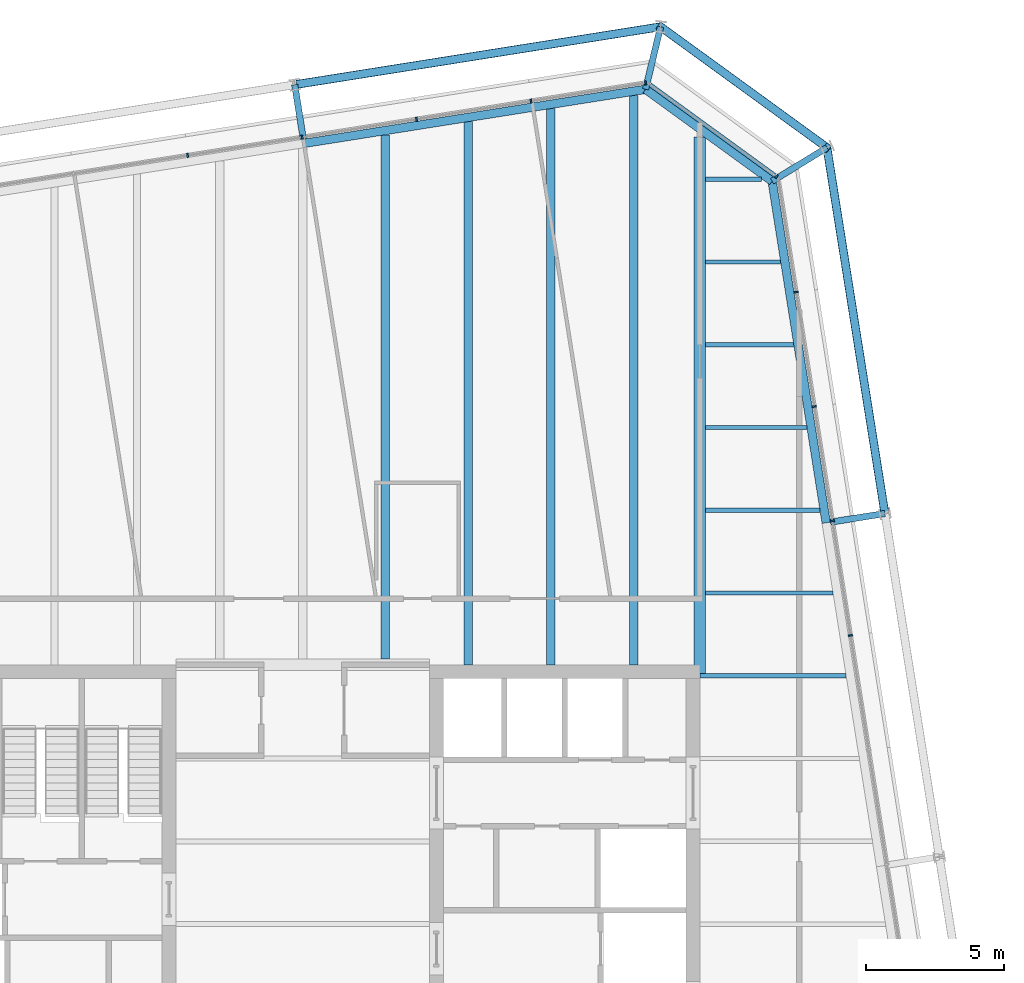
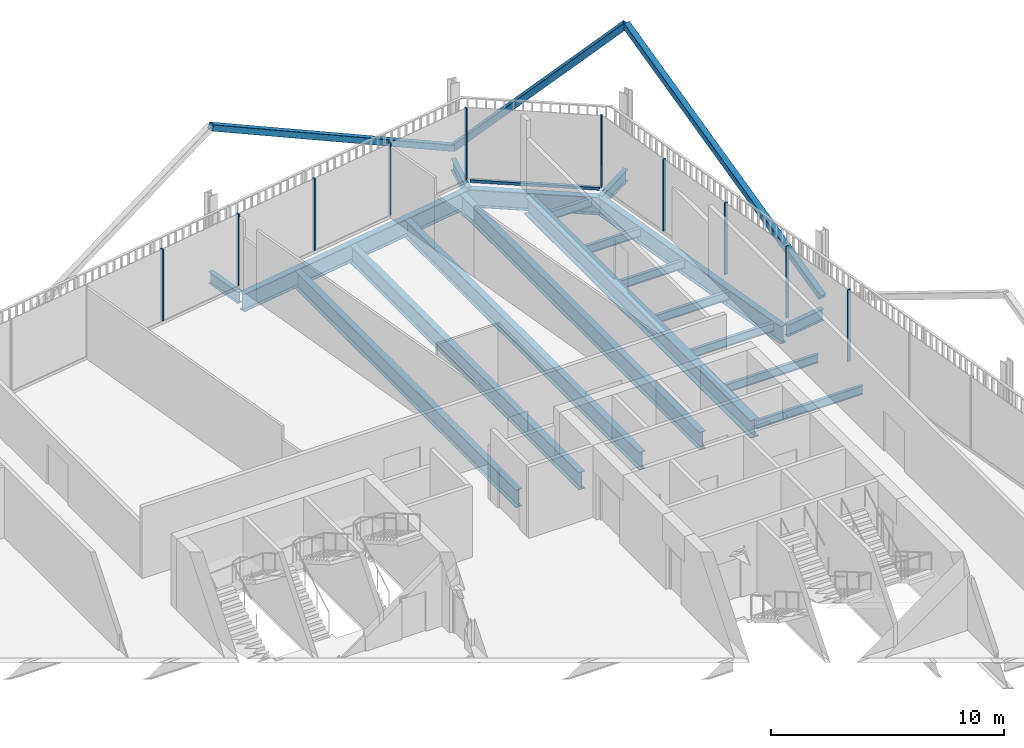
# One storey, part 15 of 21: 19 beams, 14 members, 3 elements without a shape of their own.
"""IFC4 building model written with IfcOpenShell, lengths in metres."""

from ifc_helpers import new_model, si_unit, direction, frame, origin, origin_2d, place, context, subcontext, project, spatial, rectangle, hollow_rectangle, i_section, extrude, material, layer, layer_set, material_profile, profile_set, type_object, element, aggregate, save


model = new_model("IFC4")

# Units and contexts
model_context = context("Model", 3, precision=1e-05, world=origin(), true_north=direction((0.0, 1.0)))
body_context = subcontext(model_context, "Body", "Model", "MODEL_VIEW")
ifc_project = project(units=[si_unit("LENGTHUNIT", "METRE"), si_unit("AREAUNIT", "SQUARE_METRE"), si_unit("VOLUMEUNIT", "CUBIC_METRE"), si_unit("PLANEANGLEUNIT", "RADIAN"), si_unit("MASSUNIT", "GRAM", prefix="KILO")], contexts=[model_context])

# Site, building, storey
site_placement = place(None, origin())
site = spatial("IfcSite", under=ifc_project, at=site_placement, CompositionType="ELEMENT")
building_placement = place(site_placement, origin())
building = spatial("IfcBuilding", under=site, at=building_placement, Name="Millrace Tower", CompositionType="ELEMENT")
storey_placement = place(building_placement, frame((0.0, 0.0, 247.39990234375)))
storey = spatial("IfcBuildingStorey", under=building, at=storey_placement, Name="L56", CompositionType="ELEMENT", Elevation=247.39990234375)

# Curtain wall, members
ifc_material_1 = material(Name="Aluminium and glass", Category="aluminium")
ifc_layer = layer(ifc_material_1, 0.14990234375)
ifc_layer_set = layer_set([ifc_layer], Name="Aluminium and glass")
curtain_wall_type = type_object("IfcCurtainWallType", Name="CW-1 office vision curtain wall", PredefinedType="NOTDEFINED", material=ifc_layer_set)
placement = place(storey_placement, origin())
curtain_wall_1 = element("IfcCurtainWall", 1, at=placement, inside=storey, type_object=curtain_wall_type, Name="Curtain wall D-F04 L56", PredefinedType="NOTDEFINED")
ifc_material_2 = material(Name="Aluminium", Category="aluminium")
ifc_material_profile_1 = material_profile(ifc_material_2, rectangle(XDim=0.06494140625, YDim=0.14990234375, at=origin_2d()))
ifc_profile_set_1 = profile_set([ifc_material_profile_1], Name="Aluminium")
member_type_1 = type_object("IfcMemberType", Name="CW-1 office vision curtain wall mullion", PredefinedType="MULLION", material=ifc_profile_set_1)
member_1_placement = place(storey_placement, frame((19.857421875, 10.466064453125, 0.14013671875), z_axis=(0.0, 0.0, 1.0), x_axis=(-0.156434471884, 0.987688339511, 0.0)))
member_1 = element("IfcMember", 2, at=member_1_placement, type_object=member_type_1, Name="CW1 mullion D-F04.6", PredefinedType="MULLION", context=body_context, shape_type="SweptSolid", body=[
    extrude(rectangle(XDim=0.06494140625, YDim=0.14990234375, at=origin_2d()), origin(), (0.0, 0.0, 1.0), 3.760009765625),
])
member_2_placement = place(storey_placement, frame((19.2001953125, 14.6142578125, 0.14013671875), z_axis=(0.0, 0.0, 1.0), x_axis=(-0.156434471884, 0.987688339511, 0.0)))
member_2 = element("IfcMember", 3, at=member_2_placement, type_object=member_type_1, Name="CW1 mullion D-F04.7", PredefinedType="MULLION", context=body_context, shape_type="SweptSolid", body=[
    extrude(rectangle(XDim=0.06494140625, YDim=0.14990234375, at=origin_2d()), origin(), (0.0, 0.0, 1.0), 3.760009765625),
])
member_3_placement = place(storey_placement, frame((18.543212890625, 18.762451171875, 0.14013671875), z_axis=(0.0, 0.0, 1.0), x_axis=(-0.156434471884, 0.987688339511, 0.0)))
member_3 = element("IfcMember", 4, at=member_3_placement, type_object=member_type_1, Name="CW1 mullion D-F04.8", PredefinedType="MULLION", context=body_context, shape_type="SweptSolid", body=[
    extrude(rectangle(XDim=0.06494140625, YDim=0.14990234375, at=origin_2d()), origin(), (0.0, 0.0, 1.0), 3.760009765625),
])
member_4_placement = place(storey_placement, frame((17.88623046875, 22.910888671875, 0.14013671875), z_axis=(0.0, 0.0, 1.0), x_axis=(-0.156434471884, 0.987688339511, 0.0)))
member_4 = element("IfcMember", 5, at=member_4_placement, type_object=member_type_1, Name="CW1 mullion D-F04.9", PredefinedType="MULLION", context=body_context, shape_type="SweptSolid", body=[
    extrude(rectangle(XDim=0.06494140625, YDim=0.14990234375, at=origin_2d()), origin(), (0.0, 0.0, 1.0), 3.760009765625),
])
aggregate(curtain_wall_1, [member_1, member_2, member_3, member_4])

# Curtain wall, member
curtain_wall_2 = element("IfcCurtainWall", 6, at=placement, inside=storey, type_object=curtain_wall_type, Name="Curtain wall D-F05 L56", PredefinedType="NOTDEFINED")
member_5_placement = place(storey_placement, frame((17.177978515625, 27.094970703125, 0.14013671875), z_axis=(0.0, 0.0, 1.0), x_axis=(-0.809016955361, 0.587785305991, 0.0)))
member_5 = element("IfcMember", 7, at=member_5_placement, type_object=member_type_1, Name="CW1 mullion D-F05.1", PredefinedType="MULLION", context=body_context, shape_type="SweptSolid", body=[
    extrude(rectangle(XDim=0.06494140625, YDim=0.14990234375, at=origin_2d()), origin(), (0.0, 0.0, 1.0), 3.760009765625),
])

# Curtain wall, members
curtain_wall_3 = element("IfcCurtainWall", 8, at=placement, inside=storey, type_object=curtain_wall_type, Name="Curtain wall D-F06 L56", PredefinedType="NOTDEFINED")
member_6_placement = place(storey_placement, frame((12.425537109375, 30.492431640625, 0.14013671875), z_axis=(0.0, 0.0, 1.0), x_axis=(-0.987688339511, -0.156434471884, 0.0)))
member_6 = element("IfcMember", 9, at=member_6_placement, type_object=member_type_1, Name="CW1 mullion D-F06.1", PredefinedType="MULLION", context=body_context, shape_type="SweptSolid", body=[
    extrude(rectangle(XDim=0.06494140625, YDim=0.14990234375, at=origin_2d()), origin(), (0.0, 0.0, 1.0), 3.760009765625),
])
member_7_placement = place(storey_placement, frame((8.277099609375, 29.83544921875, 0.14013671875), z_axis=(0.0, 0.0, 1.0), x_axis=(-0.987688339511, -0.156434471884, 0.0)))
member_7 = element("IfcMember", 10, at=member_7_placement, type_object=member_type_1, Name="CW1 mullion D-F06.2", PredefinedType="MULLION", context=body_context, shape_type="SweptSolid", body=[
    extrude(rectangle(XDim=0.06494140625, YDim=0.14990234375, at=origin_2d()), origin(), (0.0, 0.0, 1.0), 3.760009765625),
])
member_8_placement = place(storey_placement, frame((4.12890625, 29.178466796875, 0.14013671875), z_axis=(0.0, 0.0, 1.0), x_axis=(-0.987688339511, -0.156434471884, 0.0)))
member_8 = element("IfcMember", 11, at=member_8_placement, type_object=member_type_1, Name="CW1 mullion D-F06.3", PredefinedType="MULLION", context=body_context, shape_type="SweptSolid", body=[
    extrude(rectangle(XDim=0.06494140625, YDim=0.14990234375, at=origin_2d()), origin(), (0.0, 0.0, 1.0), 3.760009765625),
])
member_9_placement = place(storey_placement, frame((-0.019287109375, 28.521240234375, 0.14013671875), z_axis=(0.0, 0.0, 1.0), x_axis=(-0.987688339511, -0.156434471884, 0.0)))
member_9 = element("IfcMember", 12, at=member_9_placement, type_object=member_type_1, Name="CW1 mullion D-F06.4", PredefinedType="MULLION", context=body_context, shape_type="SweptSolid", body=[
    extrude(rectangle(XDim=0.06494140625, YDim=0.14990234375, at=origin_2d()), origin(), (0.0, 0.0, 1.0), 3.760009765625),
])
member_10_placement = place(storey_placement, frame((-4.167724609375, 27.8642578125, 0.14013671875), z_axis=(0.0, 0.0, 1.0), x_axis=(-0.987688339511, -0.156434471884, 0.0)))
member_10 = element("IfcMember", 13, at=member_10_placement, type_object=member_type_1, Name="CW1 mullion D-F06.5", PredefinedType="MULLION", context=body_context, shape_type="SweptSolid", body=[
    extrude(rectangle(XDim=0.06494140625, YDim=0.14990234375, at=origin_2d()), origin(), (0.0, 0.0, 1.0), 3.760009765625),
])
aggregate(curtain_wall_3, [member_6, member_7, member_8, member_9, member_10])

# Member
ifc_material_3 = material(Name="Aluminium", Category="aluminium")
ifc_material_profile_2 = material_profile(ifc_material_3, rectangle(XDim=0.14990234375, YDim=0.139892578125, at=origin_2d()))
ifc_profile_set_2 = profile_set([ifc_material_profile_2], Name="Aluminium")
member_type_2 = type_object("IfcMemberType", Name="CW-1 office vision curtain wall transom", PredefinedType="USERDEFINED", material=ifc_profile_set_2)
member_11_placement = place(storey_placement, frame((17.123291015625, 27.134765625, 0.070068359375), z_axis=(-0.809018869857, 0.587782670904, 0.0), x_axis=(-0.587782670904, -0.809018869857, 0.0)))
member_11 = element("IfcMember", 14, at=member_11_placement, type_object=member_type_2, Name="CW1 transom D-F05.1", ObjectType="TRANSOM", PredefinedType="USERDEFINED", context=body_context, shape_type="SweptSolid", body=[
    extrude(rectangle(XDim=0.14990234375, YDim=0.139892578125, at=origin_2d()), origin(), (0.0, 0.0, 1.0), 5.59814453125),
])

aggregate(curtain_wall_2, [member_5, member_11])

# Members
ifc_material_4 = material(Name="Steel ASTM A500 Grade C", Category="steel")
ifc_material_profile_3 = material_profile(ifc_material_4, hollow_rectangle(XDim=0.3046875, YDim=0.3046875, WallThickness=0.009521484375, InnerFilletRadius=0.004638671875, OuterFilletRadius=0.014404296875, at=origin_2d()))
ifc_profile_set_3 = profile_set([ifc_material_profile_3], Name="Steel ASTM A500 Grade C")
member_type_3 = type_object("IfcMemberType", Name="Exoskeleton brace HSS12x12x3/8", PredefinedType="BRACE", material=ifc_profile_set_3)
member_12_placement = place(storey_placement, frame((21.106689453125, 14.88330078125, 0.400146484375), z_axis=(-0.138712380788, 0.87583551821, 0.462245627841), x_axis=(-0.987689444837, -0.156427492975, 0.0)))
element("IfcMember", 15, at=member_12_placement, inside=storey, type_object=member_type_3, Name="BRC-D-L56-08", PredefinedType="BRACE", context=body_context, shape_type="SweptSolid", body=[
    extrude(hollow_rectangle(XDim=0.3046875, YDim=0.3046875, WallThickness=0.009521484375, InnerFilletRadius=0.004638671875, OuterFilletRadius=0.014404296875, at=origin_2d()), origin(), (0.0, 0.0, 1.0), 15.1435546875),
])
member_13_placement = place(storey_placement, frame((12.974609375, 32.5283203125, 0.400146484375), z_axis=(0.589795997835, -0.428482435505, 0.684502361867), x_axis=(0.587758820843, 0.809036197288, 0.0)))
element("IfcMember", 16, at=member_13_placement, inside=storey, type_object=member_type_3, Name="BRC-D-L56-09", PredefinedType="BRACE", context=body_context, shape_type="SweptSolid", body=[
    extrude(hollow_rectangle(XDim=0.3046875, YDim=0.3046875, WallThickness=0.009521484375, InnerFilletRadius=0.004638671875, OuterFilletRadius=0.014404296875, at=origin_2d()), origin(), (0.0, 0.0, 1.0), 10.226318359375),
])
member_14_placement = place(storey_placement, frame((12.974609375, 32.5283203125, 0.400146484375), z_axis=(-0.875831763156, -0.138714339442, 0.462252154868), x_axis=(0.156430301989, -0.987688999949, 0.0)))
element("IfcMember", 17, at=member_14_placement, inside=storey, type_object=member_type_3, Name="BRC-D-L56-10", PredefinedType="BRACE", context=body_context, shape_type="SweptSolid", body=[
    extrude(hollow_rectangle(XDim=0.3046875, YDim=0.3046875, WallThickness=0.009521484375, InnerFilletRadius=0.004638671875, OuterFilletRadius=0.014404296875, at=origin_2d()), origin(), (0.0, 0.0, 1.0), 15.143310546875),
])

# Beams
ifc_material_5 = material(Name="Steel ASTM A992 Grade 50", Category="steel")
ifc_material_profile_4 = material_profile(ifc_material_5, i_section(OverallWidth=0.15234375, OverallDepth=0.449462890625, WebThickness=0.007568359375, FlangeThickness=0.0107421875, FilletRadius=0.01025390625, at=origin_2d()))
ifc_profile_set_4 = profile_set([ifc_material_profile_4], Name="Steel ASTM A992 Grade 50")
beam_type_1 = type_object("IfcBeamType", Name="Floor beam W18x35", PredefinedType="JOIST", material=ifc_profile_set_4)
beam_1_placement = place(storey_placement, frame((14.39990234375, 9.0, -0.384765625), z_axis=(1.0, 0.0, 0.0), x_axis=(0.0, 1.0, 0.0)))
element("IfcBeam", 18, at=beam_1_placement, inside=storey, type_object=beam_type_1, Name="BM-D-L56-S1-S024", PredefinedType="JOIST", context=body_context, shape_type="SweptSolid", body=[
    extrude(i_section(OverallWidth=0.15234375, OverallDepth=0.449462890625, WebThickness=0.007568359375, FlangeThickness=0.0107421875, FilletRadius=0.01025390625, at=origin_2d()), origin(), (0.0, 0.0, 1.0), 5.302490234375),
])
beam_2_placement = place(storey_placement, frame((14.609619140625, 12.0, -0.384765625), z_axis=(1.0, 0.0, 0.0), x_axis=(0.0, 1.0, 0.0)))
element("IfcBeam", 19, at=beam_2_placement, inside=storey, type_object=beam_type_1, Name="BM-D-L56-S1-S026", PredefinedType="JOIST", context=body_context, shape_type="SweptSolid", body=[
    extrude(i_section(OverallWidth=0.15234375, OverallDepth=0.449462890625, WebThickness=0.007568359375, FlangeThickness=0.0107421875, FilletRadius=0.01025390625, at=origin_2d()), origin(), (0.0, 0.0, 1.0), 4.61767578125),
])
beam_3_placement = place(storey_placement, frame((14.609619140625, 15.0, -0.384765625), z_axis=(1.0, 0.0, 0.0), x_axis=(0.0, 1.0, 0.0)))
element("IfcBeam", 20, at=beam_3_placement, inside=storey, type_object=beam_type_1, Name="BM-D-L56-S1-S028", PredefinedType="JOIST", context=body_context, shape_type="SweptSolid", body=[
    extrude(i_section(OverallWidth=0.15234375, OverallDepth=0.449462890625, WebThickness=0.007568359375, FlangeThickness=0.0107421875, FilletRadius=0.01025390625, at=origin_2d()), origin(), (0.0, 0.0, 1.0), 4.142578125),
])
beam_4_placement = place(storey_placement, frame((14.609619140625, 18.0, -0.384765625), z_axis=(1.0, 0.0, 0.0), x_axis=(0.0, 1.0, 0.0)))
element("IfcBeam", 21, at=beam_4_placement, inside=storey, type_object=beam_type_1, Name="BM-D-L56-S1-S030", PredefinedType="JOIST", context=body_context, shape_type="SweptSolid", body=[
    extrude(i_section(OverallWidth=0.15234375, OverallDepth=0.449462890625, WebThickness=0.007568359375, FlangeThickness=0.0107421875, FilletRadius=0.01025390625, at=origin_2d()), origin(), (0.0, 0.0, 1.0), 3.667236328125),
])
beam_5_placement = place(storey_placement, frame((14.609619140625, 21.0, -0.384765625), z_axis=(1.0, 0.0, 0.0), x_axis=(0.0, 1.0, 0.0)))
element("IfcBeam", 22, at=beam_5_placement, inside=storey, type_object=beam_type_1, Name="BM-D-L56-S1-S032", PredefinedType="JOIST", context=body_context, shape_type="SweptSolid", body=[
    extrude(i_section(OverallWidth=0.15234375, OverallDepth=0.449462890625, WebThickness=0.007568359375, FlangeThickness=0.0107421875, FilletRadius=0.01025390625, at=origin_2d()), origin(), (0.0, 0.0, 1.0), 3.192138671875),
])
beam_6_placement = place(storey_placement, frame((14.609619140625, 24.0, -0.384765625), z_axis=(1.0, 0.0, 0.0), x_axis=(0.0, 1.0, 0.0)))
element("IfcBeam", 23, at=beam_6_placement, inside=storey, type_object=beam_type_1, Name="BM-D-L56-S1-S034", PredefinedType="JOIST", context=body_context, shape_type="SweptSolid", body=[
    extrude(i_section(OverallWidth=0.15234375, OverallDepth=0.449462890625, WebThickness=0.007568359375, FlangeThickness=0.0107421875, FilletRadius=0.01025390625, at=origin_2d()), origin(), (0.0, 0.0, 1.0), 2.717041015625),
])
beam_7_placement = place(storey_placement, frame((14.609619140625, 27.0, -0.384765625), z_axis=(1.0, 0.0, 0.0), x_axis=(0.0, 1.0, 0.0)))
element("IfcBeam", 24, at=beam_7_placement, inside=storey, type_object=beam_type_1, Name="BM-D-L56-S1-S035", PredefinedType="JOIST", context=body_context, shape_type="SweptSolid", body=[
    extrude(i_section(OverallWidth=0.15234375, OverallDepth=0.449462890625, WebThickness=0.007568359375, FlangeThickness=0.0107421875, FilletRadius=0.01025390625, at=origin_2d()), origin(), (0.0, 0.0, 1.0), 2.020751953125),
])
ifc_material_6 = material(Name="Steel ASTM A992 Grade 50", Category="steel")
ifc_material_profile_5 = material_profile(ifc_material_6, i_section(OverallWidth=0.307373046875, OverallDepth=0.927001953125, WebThickness=0.01953125, FlangeThickness=0.031982421875, FilletRadius=0.01904296875, at=origin_2d()))
ifc_profile_set_5 = profile_set([ifc_material_profile_5], Name="Steel ASTM A992 Grade 50")
beam_type_2 = type_object("IfcBeamType", Name="Floor beam W36x194", PredefinedType="JOIST", material=ifc_profile_set_5)
beam_8_placement = place(storey_placement, frame((3.0, 9.609619140625, -0.62353515625), z_axis=(0.0, 1.0, 0.0), x_axis=(-1.0, 0.0, 0.0)))
element("IfcBeam", 25, at=beam_8_placement, inside=storey, type_object=beam_type_2, Name="BM-D-L56-S1-S046", PredefinedType="JOIST", context=body_context, shape_type="SweptSolid", body=[
    extrude(i_section(OverallWidth=0.307373046875, OverallDepth=0.927001953125, WebThickness=0.01953125, FlangeThickness=0.031982421875, FilletRadius=0.01904296875, at=origin_2d()), origin(), (0.0, 0.0, 1.0), 19.0029296875),
])
beam_9_placement = place(storey_placement, frame((6.0, 9.39990234375, -0.62353515625), z_axis=(0.0, 1.0, 0.0), x_axis=(-1.0, 0.0, 0.0)))
element("IfcBeam", 26, at=beam_9_placement, inside=storey, type_object=beam_type_2, Name="BM-D-L56-S1-S048", PredefinedType="JOIST", context=body_context, shape_type="SweptSolid", body=[
    extrude(i_section(OverallWidth=0.307373046875, OverallDepth=0.927001953125, WebThickness=0.01953125, FlangeThickness=0.031982421875, FilletRadius=0.01904296875, at=origin_2d()), origin(), (0.0, 0.0, 1.0), 19.687744140625),
])
beam_10_placement = place(storey_placement, frame((9.0, 9.39990234375, -0.62353515625), z_axis=(0.0, 1.0, 0.0), x_axis=(-1.0, 0.0, 0.0)))
element("IfcBeam", 27, at=beam_10_placement, inside=storey, type_object=beam_type_2, Name="BM-D-L56-S1-S050", PredefinedType="JOIST", context=body_context, shape_type="SweptSolid", body=[
    extrude(i_section(OverallWidth=0.307373046875, OverallDepth=0.927001953125, WebThickness=0.01953125, FlangeThickness=0.031982421875, FilletRadius=0.01904296875, at=origin_2d()), origin(), (0.0, 0.0, 1.0), 20.162841796875),
])
beam_11_placement = place(storey_placement, frame((12.0, 9.39990234375, -0.62353515625), z_axis=(0.0, 1.0, 0.0), x_axis=(-1.0, 0.0, 0.0)))
element("IfcBeam", 28, at=beam_11_placement, inside=storey, type_object=beam_type_2, Name="BM-D-L56-S1-S052", PredefinedType="JOIST", context=body_context, shape_type="SweptSolid", body=[
    extrude(i_section(OverallWidth=0.307373046875, OverallDepth=0.927001953125, WebThickness=0.01953125, FlangeThickness=0.031982421875, FilletRadius=0.01904296875, at=origin_2d()), origin(), (0.0, 0.0, 1.0), 20.637939453125),
])
ifc_material_7 = material(Name="Steel ASTM A992 Grade 50", Category="steel")
ifc_material_profile_6 = material_profile(ifc_material_7, i_section(OverallWidth=0.424072265625, OverallDepth=0.947509765625, WebThickness=0.02392578125, FlangeThickness=0.042724609375, FilletRadius=0.024169921875, at=origin_2d()))
ifc_profile_set_6 = profile_set([ifc_material_profile_6], Name="Steel ASTM A992 Grade 50")
beam_type_3 = type_object("IfcBeamType", Name="Girder medium span W36x302", PredefinedType="BEAM", material=ifc_profile_set_6)
beam_12_placement = place(storey_placement, frame((14.39990234375, 9.080078125, -0.633544921875), z_axis=(0.0, 1.0, 0.0), x_axis=(-1.0, 0.0, 0.0)))
element("IfcBeam", 29, at=beam_12_placement, inside=storey, type_object=beam_type_3, Name="BM-D-L56-S1-G056", PredefinedType="BEAM", context=body_context, shape_type="SweptSolid", body=[
    extrude(i_section(OverallWidth=0.424072265625, OverallDepth=0.947509765625, WebThickness=0.02392578125, FlangeThickness=0.042724609375, FilletRadius=0.024169921875, at=origin_2d()), origin(), (0.0, 0.0, 1.0), 19.460693359375),
])
ifc_material_8 = material(Name="Steel ASTM A992 Grade 50", Category="steel")
ifc_material_profile_7 = material_profile(ifc_material_8, i_section(OverallWidth=0.23046875, OverallDepth=0.6171875, WebThickness=0.01318359375, FlangeThickness=0.022216796875, FilletRadius=0.012939453125, at=origin_2d()))
ifc_profile_set_7 = profile_set([ifc_material_profile_7], Name="Steel ASTM A992 Grade 50")
beam_type_4 = type_object("IfcBeamType", Name="Link beam W24x94", PredefinedType="BEAM", material=ifc_profile_set_7)
beam_13_placement = place(storey_placement, frame((0.0244140625, 28.452392578125, -0.468505859375), z_axis=(-0.15637629034, 0.987697552806, 0.0), x_axis=(-0.987697552806, -0.15637629034, 0.0)))
element("IfcBeam", 30, at=beam_13_placement, inside=storey, type_object=beam_type_4, Name="LNK-D-L56-S1-07", PredefinedType="BEAM", context=body_context, shape_type="SweptSolid", body=[
    extrude(i_section(OverallWidth=0.23046875, OverallDepth=0.6171875, WebThickness=0.01318359375, FlangeThickness=0.022216796875, FilletRadius=0.012939453125, at=origin_2d()), origin(), (0.0, 0.0, 1.0), 2.0),
])
beam_14_placement = place(storey_placement, frame((12.430419921875, 30.26171875, -0.468505859375), z_axis=(0.233456138164, 0.972367333652, 0.0), x_axis=(-0.972367333652, 0.233456138164, 0.0)))
element("IfcBeam", 31, at=beam_14_placement, inside=storey, type_object=beam_type_4, Name="LNK-D-L56-S1-08", PredefinedType="BEAM", context=body_context, shape_type="SweptSolid", body=[
    extrude(i_section(OverallWidth=0.23046875, OverallDepth=0.6171875, WebThickness=0.01318359375, FlangeThickness=0.022216796875, FilletRadius=0.012939453125, at=origin_2d()), origin(), (0.0, 0.0, 1.0), 2.3310546875),
])
beam_15_placement = place(storey_placement, frame((17.018310546875, 26.928466796875, -0.468505859375), z_axis=(0.852659946142, 0.5224662824, 0.0), x_axis=(-0.5224662824, 0.852659946142, 0.0)))
element("IfcBeam", 32, at=beam_15_placement, inside=storey, type_object=beam_type_4, Name="LNK-D-L56-S1-09", PredefinedType="BEAM", context=body_context, shape_type="SweptSolid", body=[
    extrude(i_section(OverallWidth=0.23046875, OverallDepth=0.6171875, WebThickness=0.01318359375, FlangeThickness=0.022216796875, FilletRadius=0.012939453125, at=origin_2d()), origin(), (0.0, 0.0, 1.0), 2.331298828125),
])
beam_16_placement = place(storey_placement, frame((19.13134765625, 14.5703125, -0.468505859375), z_axis=(0.987678691416, 0.156495375404, 0.0), x_axis=(-0.156495375404, 0.987678691416, 0.0)))
element("IfcBeam", 33, at=beam_16_placement, inside=storey, type_object=beam_type_4, Name="LNK-D-L56-S1-10", PredefinedType="BEAM", context=body_context, shape_type="SweptSolid", body=[
    extrude(i_section(OverallWidth=0.23046875, OverallDepth=0.6171875, WebThickness=0.01318359375, FlangeThickness=0.022216796875, FilletRadius=0.012939453125, at=origin_2d()), origin(), (0.0, 0.0, 1.0), 2.0),
])
ifc_material_9 = material(Name="Steel ASTM A992 Grade 50", Category="steel")
ifc_material_profile_8 = material_profile(ifc_material_9, i_section(OverallWidth=0.307373046875, OverallDepth=0.927001953125, WebThickness=0.01953125, FlangeThickness=0.031982421875, FilletRadius=0.01904296875, at=origin_2d()))
ifc_profile_set_8 = profile_set([ifc_material_profile_8], Name="Steel ASTM A992 Grade 50")
beam_type_5 = type_object("IfcBeamType", Name="Ring beam medium span W36x194", PredefinedType="SPANDREL", material=ifc_profile_set_8)
beam_17_placement = place(storey_placement, frame((0.048583984375, 28.300537109375, -0.62353515625), z_axis=(0.987687213011, 0.156441584157, 0.0), x_axis=(-0.156441584157, 0.987687213011, 0.0)))
element("IfcBeam", 34, at=beam_17_placement, inside=storey, type_object=beam_type_5, Name="RNG-D-L56-S1-07", PredefinedType="SPANDREL", context=body_context, shape_type="SweptSolid", body=[
    extrude(i_section(OverallWidth=0.307373046875, OverallDepth=0.927001953125, WebThickness=0.01953125, FlangeThickness=0.031982421875, FilletRadius=0.01904296875, at=origin_2d()), origin(), (0.0, 0.0, 1.0), 12.5361328125),
])
beam_18_placement = place(storey_placement, frame((17.018310546875, 26.928466796875, -0.62353515625), z_axis=(0.156438575049, -0.987687689625, 0.0), x_axis=(0.987687689625, 0.156438575049, 0.0)))
element("IfcBeam", 35, at=beam_18_placement, inside=storey, type_object=beam_type_5, Name="RNG-D-L56-S1-09", PredefinedType="SPANDREL", context=body_context, shape_type="SweptSolid", body=[
    extrude(i_section(OverallWidth=0.307373046875, OverallDepth=0.927001953125, WebThickness=0.01953125, FlangeThickness=0.031982421875, FilletRadius=0.01904296875, at=origin_2d()), origin(), (0.0, 0.0, 1.0), 12.536376953125),
])
ifc_material_10 = material(Name="Steel ASTM A992 Grade 50", Category="steel")
ifc_material_profile_9 = material_profile(ifc_material_10, i_section(OverallWidth=0.307373046875, OverallDepth=0.927001953125, WebThickness=0.01953125, FlangeThickness=0.031982421875, FilletRadius=0.01904296875, at=origin_2d()))
ifc_profile_set_9 = profile_set([ifc_material_profile_9], Name="Steel ASTM A992 Grade 50")
beam_type_6 = type_object("IfcBeamType", Name="Ring beam short span W36x194", PredefinedType="SPANDREL", material=ifc_profile_set_9)
beam_19_placement = place(storey_placement, frame((12.430419921875, 30.26171875, -0.62353515625), z_axis=(0.80902082646, -0.587779977844, 0.0), x_axis=(0.587779977844, 0.80902082646, 0.0)))
element("IfcBeam", 36, at=beam_19_placement, inside=storey, type_object=beam_type_6, Name="RNG-D-L56-S1-08", PredefinedType="SPANDREL", context=body_context, shape_type="SweptSolid", body=[
    extrude(i_section(OverallWidth=0.307373046875, OverallDepth=0.927001953125, WebThickness=0.01953125, FlangeThickness=0.031982421875, FilletRadius=0.01904296875, at=origin_2d()), origin(), (0.0, 0.0, 1.0), 5.6708984375),
])

save(model, "model.ifc")
